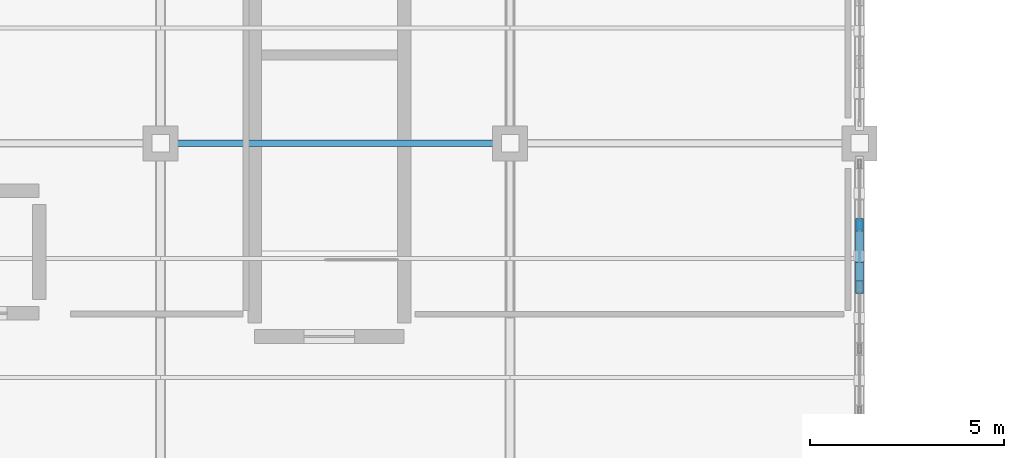
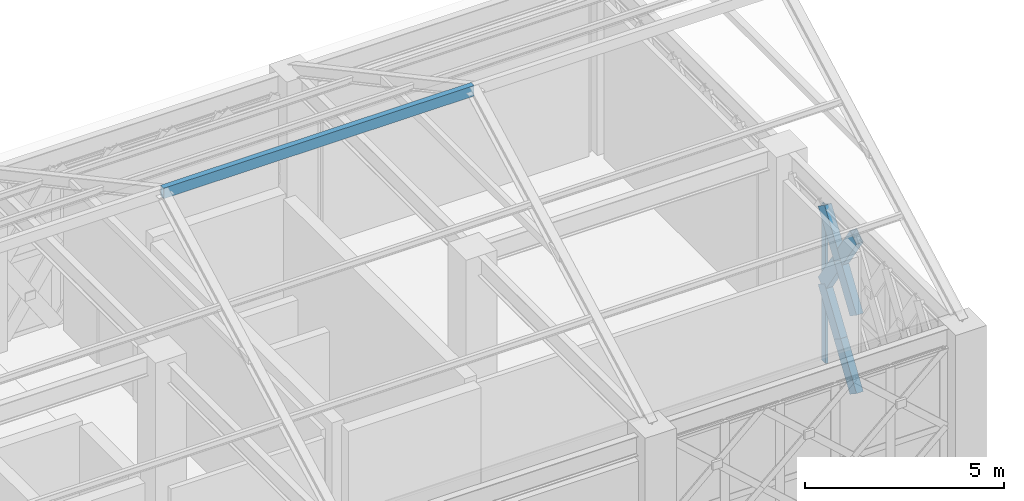
# One storey, part 64 of 166: 7 members, 1 element without a shape of its own.
"""IFC4 building model written with IfcOpenShell, lengths in metres."""

from ifc_helpers import new_model, si_unit, direction, frame, origin, origin_2d, place, context, subcontext, project, spatial, hollow_rectangle, extrude, material, material_profile, profile_set, type_object, element, aggregate, save


model = new_model("IFC4")

# Units and contexts
model_context = context("Model", 3, precision=1e-05, world=origin(), true_north=direction((0.0, 1.0)))
body_context = subcontext(model_context, "Body", "Model", "MODEL_VIEW")
ifc_project = project(units=[si_unit("LENGTHUNIT", "METRE"), si_unit("AREAUNIT", "SQUARE_METRE"), si_unit("VOLUMEUNIT", "CUBIC_METRE"), si_unit("PLANEANGLEUNIT", "RADIAN"), si_unit("MASSUNIT", "GRAM", prefix="KILO")], contexts=[model_context])

# Site, building, storey
site_placement = place(None, origin())
site = spatial("IfcSite", under=ifc_project, at=site_placement, CompositionType="ELEMENT")
building_placement = place(site_placement, origin())
building = spatial("IfcBuilding", under=site, at=building_placement, Name="Haizhuo Lancet Aquarium", CompositionType="ELEMENT")
storey_placement = place(building_placement, frame((0.0, 0.0, 5.39990234375)))
storey = spatial("IfcBuildingStorey", under=building, at=storey_placement, Name="L01", CompositionType="ELEMENT", Elevation=5.39990234375)

# Curtain wall, member
ifc_material_1 = material(Name="Aluminium 6063-T6", Category="aluminium")
curtain_wall_type = type_object("IfcCurtainWallType", Name="CWD-8010x4800", PredefinedType="NOTDEFINED", material=ifc_material_1)
curtain_wall_placement = place(storey_placement, origin())
curtain_wall = element("IfcCurtainWall", 1, at=curtain_wall_placement, inside=storey, type_object=curtain_wall_type, Name="L01 curtain wall CW-V2-L01-026", PredefinedType="NOTDEFINED")
ifc_material_profile_1 = material_profile(ifc_material_1, hollow_rectangle(XDim=0.074951171875, YDim=0.219970703125, WallThickness=0.0048828125, at=origin_2d()), Name="ALU-M 75x220x5")
ifc_profile_set_1 = profile_set([ifc_material_profile_1], Name="Aluminium 6063-T6")
member_type_1 = type_object("IfcMemberType", Name="CW-MUL-2", PredefinedType="MULLION", material=ifc_profile_set_1)
member_1_placement = place(storey_placement, frame((-36.0, 15.903076171875, 0.0), z_axis=(0.0, 0.0, 1.0), x_axis=(1.0, 0.0, 0.0)))
member_1 = element("IfcMember", 2, at=member_1_placement, type_object=member_type_1, Name="CWD-80x48 mullion 2", PredefinedType="MULLION", context=body_context, shape_type="SweptSolid", body=[
    extrude(hollow_rectangle(XDim=0.074951171875, YDim=0.219970703125, WallThickness=0.0048828125, at=origin_2d()), origin(), (0.0, 0.0, 1.0), 4.800048828125),
])
aggregate(curtain_wall, [member_1])

# Members
ifc_material_2 = material(Name="Steel S355", Category="steel")
ifc_material_profile_2 = material_profile(ifc_material_2, hollow_rectangle(XDim=0.159912109375, YDim=0.320068359375, WallThickness=0.010009765625, at=origin_2d()), Name="RHS 160x320x10")
ifc_profile_set_2 = profile_set([ifc_material_profile_2], Name="Steel S355")
member_type_2 = type_object("IfcMemberType", Name="MEM-CH-RHS160x320", PredefinedType="CHORD", material=ifc_profile_set_2)
member_2_placement = place(storey_placement, frame((-54.0, 18.0, 10.216064453125), z_axis=(1.0, 0.0, 0.0), x_axis=(0.0, 1.0, 0.0)))
element("IfcMember", 3, at=member_2_placement, inside=storey, type_object=member_type_2, Name="V2 roof ridge chord 3", PredefinedType="CHORD", context=body_context, shape_type="SweptSolid", body=[
    extrude(hollow_rectangle(XDim=0.159912109375, YDim=0.320068359375, WallThickness=0.010009765625, at=origin_2d()), origin(), (0.0, 0.0, 1.0), 9.0),
])
ifc_material_profile_3 = material_profile(ifc_material_2, hollow_rectangle(XDim=0.199951171875, YDim=0.39990234375, WallThickness=0.011962890625, at=origin_2d()), Name="RHS 200x400x12")
ifc_profile_set_3 = profile_set([ifc_material_profile_3], Name="Steel S355")
member_type_3 = type_object("IfcMemberType", Name="MEM-LB-RHS200x400", PredefinedType="BRACE", material=ifc_profile_set_3)
member_3_placement = place(storey_placement, frame((-36.0, 14.301025390625, 0.0), z_axis=(0.0, 0.555129617962, 0.831763853063), x_axis=(-1.0, 0.0, 0.0)))
element("IfcMember", 4, at=member_3_placement, inside=storey, type_object=member_type_3, Name="Gothic lancet split diagonal brace CW-V2-L01-026 3B1", PredefinedType="BRACE", context=body_context, shape_type="SweptSolid", body=[
    extrude(hollow_rectangle(XDim=0.199951171875, YDim=0.39990234375, WallThickness=0.011962890625, at=origin_2d()), origin(), (0.0, 0.0, 1.0), 1.44287109375),
])
member_4_placement = place(storey_placement, frame((-36.0, 15.10205078125, 1.2001953125), z_axis=(0.0, 0.555207750173, 0.831711701341), x_axis=(-1.0, 0.0, 0.0)))
element("IfcMember", 5, at=member_4_placement, inside=storey, type_object=member_type_3, Name="Gothic lancet split diagonal brace CW-V2-L01-026 3B2", PredefinedType="BRACE", context=body_context, shape_type="SweptSolid", body=[
    extrude(hollow_rectangle(XDim=0.199951171875, YDim=0.39990234375, WallThickness=0.011962890625, at=origin_2d()), origin(), (0.0, 0.0, 1.0), 1.442626953125),
])
member_5_placement = place(storey_placement, frame((-36.0, 15.903076171875, 2.400146484375), z_axis=(0.0, -0.555207750173, 0.831711701341), x_axis=(1.0, 0.0, 0.0)))
element("IfcMember", 6, at=member_5_placement, inside=storey, type_object=member_type_3, Name="Gothic lancet continuous diagonal brace CW-V2-L01-026 4A", PredefinedType="BRACE", context=body_context, shape_type="SweptSolid", body=[
    extrude(hollow_rectangle(XDim=0.199951171875, YDim=0.39990234375, WallThickness=0.011962890625, at=origin_2d()), origin(), (0.0, 0.0, 1.0), 2.885498046875),
])
for number, where, z_axis, x_axis, name in (
    (7, (-36.0, 14.301025390625, 2.400146484375), (0.0, 0.555207750173, 0.831711701341), (-1.0, 0.0, 0.0), "Gothic lancet split diagonal brace CW-V2-L01-026 4B1"),
    (8, (-36.0, 15.10205078125, 3.60009765625), (0.0, 0.555207750173, 0.831711701341), (-1.0, 0.0, 0.0), "Gothic lancet split diagonal brace CW-V2-L01-026 4B2"),
):
    element("IfcMember", number, at=place(storey_placement, frame(where, z_axis=z_axis, x_axis=x_axis)), inside=storey, type_object=member_type_3, Name=name, PredefinedType="BRACE", context=body_context, shape_type="SweptSolid", body=[
        extrude(hollow_rectangle(XDim=0.199951171875, YDim=0.39990234375, WallThickness=0.011962890625, at=origin_2d()), origin(), (0.0, 0.0, 1.0), 1.442626953125),
    ])

save(model, "model.ifc")
